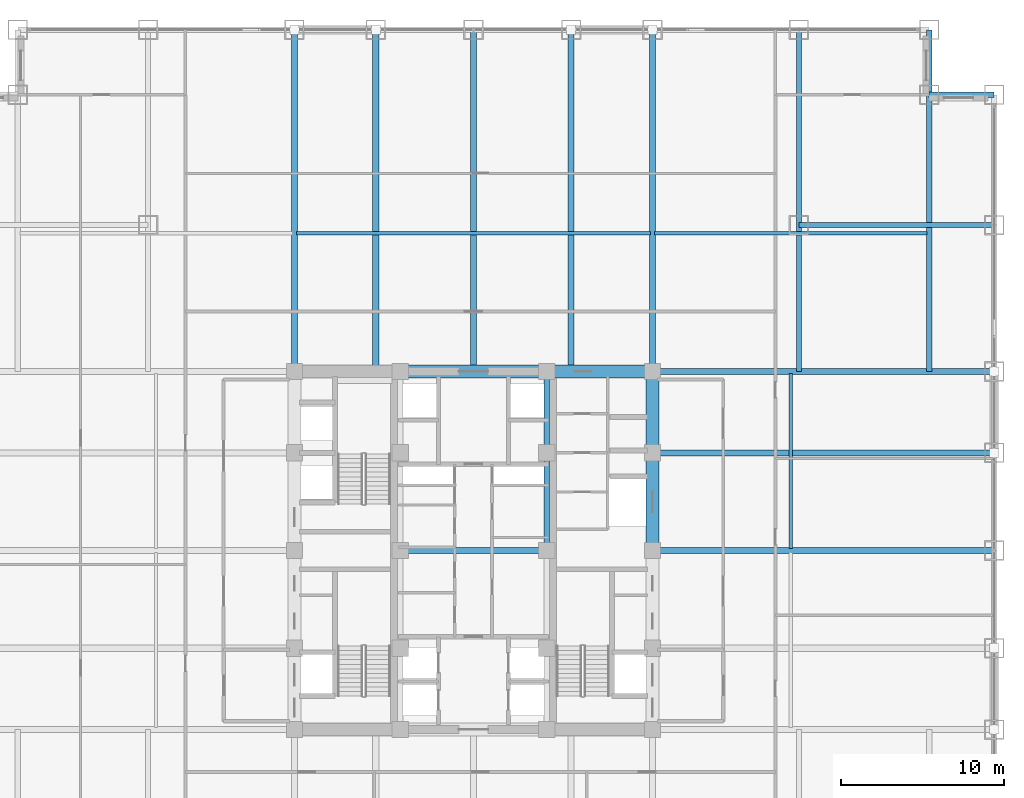
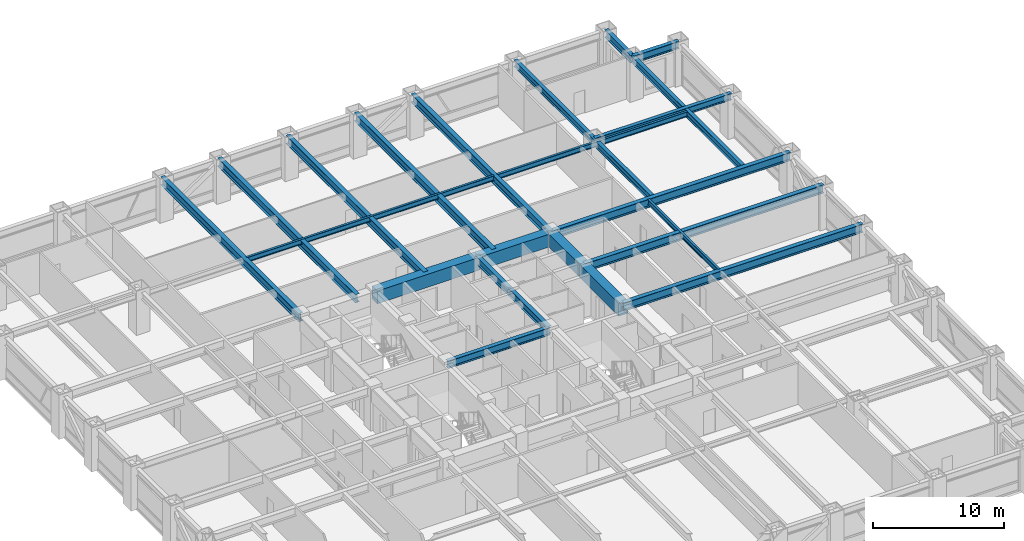
# One storey, part 11 of 27: 23 beams.
"""IFC4 building model written with IfcOpenShell, lengths in metres."""

import ifcopenshell
import ifcopenshell.guid

model = None  # the IFC model being written
_history = None  # IfcOwnerHistory: only IFC2X3 demands one
_inside = {}  # id of a spatial element -> (the spatial element, [elements in it])
_under = {}  # id of a project, library or spatial element -> (it, [spatial elements below it])
_declared = {}  # id of a project -> (the project, [libraries it declares])
_typed = {}  # id of a type object -> (the type object, [elements of that type])
_made_of = {}  # id of a material, layer set ... -> (it, [elements and type objects made of it])


def new_model(schema):
    """Start an empty IFC model of exactly this schema.

    Asked for "IFC4X3", IfcOpenShell would pick the latest addendum, in which some entities
    have other attributes; the version numbers below select the first issue.
    IFC2X3 requires an IfcOwnerHistory on every rooted entity: one is made here for all.
    """
    global model, _history
    if schema == "IFC4X3":
        model = ifcopenshell.file(schema_version=(4, 3, 0, 0))
    else:
        model = ifcopenshell.file(schema=schema)
    _inside.clear()
    _under.clear()
    _declared.clear()
    _typed.clear()
    _made_of.clear()
    _history = None
    if model.schema == "IFC2X3":
        org = make("IfcOrganization", Name="unknown")
        user = make(
            "IfcPersonAndOrganization",
            ThePerson=make("IfcPerson", FamilyName="unknown"),
            TheOrganization=org,
        )
        app = make(
            "IfcApplication",
            ApplicationDeveloper=org,
            Version="unknown",
            ApplicationFullName="unknown",
            ApplicationIdentifier="unknown",
        )
        _history = make(
            "IfcOwnerHistory",
            OwningUser=user,
            OwningApplication=app,
            ChangeAction="ADDED",
            CreationDate=0,
        )
    return model


def make(cls, **values):
    """One entity of the class cls with the attributes given. An attribute that is None is left unset."""
    return model.create_entity(
        cls, **{name: value for name, value in values.items() if value is not None}
    )


def rooted(cls, **values):
    """An entity with a GlobalId (a new one), such as an element, a storey or a relation."""
    return make(cls, GlobalId=ifcopenshell.guid.new(), OwnerHistory=_history, **values)


def si_unit(unit_type, name, prefix=None):
    """IfcSIUnit, for example si_unit("LENGTHUNIT", "METRE", prefix="MILLI")."""
    return make("IfcSIUnit", UnitType=unit_type, Prefix=prefix, Name=name)


def assignment(units):
    """IfcUnitAssignment: the units of a project."""
    return None if units is None else make("IfcUnitAssignment", Units=units)


def point(xyz):
    """IfcCartesianPoint."""
    return None if xyz is None else make("IfcCartesianPoint", Coordinates=xyz)


def direction(xyz):
    """IfcDirection."""
    return None if xyz is None else make("IfcDirection", DirectionRatios=xyz)


def frame(location, z_axis=None, x_axis=None):
    """IfcAxis2Placement3D, a coordinate frame: its origin and axes. An axis left out is left unset."""
    return make(
        "IfcAxis2Placement3D",
        Location=point(location),
        Axis=direction(z_axis),
        RefDirection=direction(x_axis),
    )


def frame_2d(location, x_axis=None):
    """IfcAxis2Placement2D, a coordinate frame in the plane: its origin and x axis."""
    return make(
        "IfcAxis2Placement2D", Location=point(location), RefDirection=direction(x_axis)
    )


def origin():
    """The frame at (0, 0, 0) with its axes left unset."""
    return frame((0.0, 0.0, 0.0))


def origin_2d():
    """The frame at (0, 0) in the plane with its x axis left unset."""
    return frame_2d((0.0, 0.0))


def place(relative_to, where):
    """IfcLocalPlacement: puts the frame where relative to a parent placement (None: the world)."""
    return make(
        "IfcLocalPlacement", PlacementRelTo=relative_to, RelativePlacement=where
    )


def context(
    kind, dimensions, precision=None, world=None, true_north=None, identifier=None
):
    """IfcGeometricRepresentationContext, for example the 3D "Model" context."""
    return make(
        "IfcGeometricRepresentationContext",
        ContextIdentifier=identifier,
        ContextType=kind,
        CoordinateSpaceDimension=dimensions,
        Precision=precision,
        WorldCoordinateSystem=world,
        TrueNorth=true_north,
    )


def subcontext(parent, identifier, kind, view, scale=None):
    """IfcGeometricRepresentationSubContext, for example "Body" below "Model"."""
    return make(
        "IfcGeometricRepresentationSubContext",
        ContextIdentifier=identifier,
        ContextType=kind,
        ParentContext=parent,
        TargetScale=scale,
        TargetView=view,
    )


def project(units=None, contexts=None):
    """IfcProject with its units and contexts."""
    return rooted(
        "IfcProject",
        Name="project",
        RepresentationContexts=contexts,
        UnitsInContext=assignment(units),
    )


def spatial(cls, under=None, at=None, **own):
    """A site, building, storey or space (cls), placed at a placement, below another one or the project."""
    s = rooted(cls, ObjectPlacement=at, **own)
    if under is not None:
        _under.setdefault(under.id(), (under, []))[1].append(s)
    return s


def profile(cls, at=None, kind="AREA", **sizes):
    """A parametric profile (cls). Its sizes go by their IFC names, for example OverallWidth=200.0."""
    return make(cls, ProfileType=kind, Position=at, **sizes)


def rectangle(**sizes):
    """IfcRectangleProfileDef."""
    return profile("IfcRectangleProfileDef", **sizes)


def i_section(**sizes):
    """IfcIShapeProfileDef."""
    return profile("IfcIShapeProfileDef", **sizes)


def extrude(swept, where, along, depth):
    """IfcExtrudedAreaSolid: the profile swept, set in the frame where, extruded along a direction by depth."""
    return make(
        "IfcExtrudedAreaSolid",
        SweptArea=swept,
        Position=where,
        ExtrudedDirection=direction(along),
        Depth=depth,
    )


def shape(context_of_items, identifier, shape_type, items):
    """IfcShapeRepresentation: the items that make up one representation, for example the "Body"."""
    return make(
        "IfcShapeRepresentation",
        ContextOfItems=context_of_items,
        RepresentationIdentifier=identifier,
        RepresentationType=shape_type,
        Items=items,
    )


def source(mapping_origin, context_of_items, identifier, shape_type, items):
    """IfcRepresentationMap: a shape defined once, which mapped items show again and again."""
    return make(
        "IfcRepresentationMap",
        MappingOrigin=mapping_origin,
        MappedRepresentation=shape(context_of_items, identifier, shape_type, items),
    )


def transform(
    local_origin,
    x_axis=None,
    y_axis=None,
    z_axis=None,
    scale=None,
    scale2=None,
    scale3=None,
    uniform=True,
):
    """IfcCartesianTransformationOperator3D, or its non-uniform kind. x_axis, y_axis, z_axis: its Axis1, 2, 3."""
    if uniform:
        return make(
            "IfcCartesianTransformationOperator3D",
            Axis1=direction(x_axis),
            Axis2=direction(y_axis),
            LocalOrigin=point(local_origin),
            Scale=scale,
            Axis3=direction(z_axis),
        )
    return make(
        "IfcCartesianTransformationOperator3DnonUniform",
        Axis1=direction(x_axis),
        Axis2=direction(y_axis),
        LocalOrigin=point(local_origin),
        Scale=scale,
        Axis3=direction(z_axis),
        Scale2=scale2,
        Scale3=scale3,
    )


def mapped(mapping_source, mapping_target):
    """IfcMappedItem: shows the shape of a source again, moved by a transform."""
    return make(
        "IfcMappedItem", MappingSource=mapping_source, MappingTarget=mapping_target
    )


def material(Name=None, Category=None):
    """IfcMaterial."""
    return make("IfcMaterial", Name=Name, Category=Category)


def material_profile(
    of_material, cross_section, Name=None, Category=None, Priority=None
):
    """IfcMaterialProfile: a cross section and its material."""
    return make(
        "IfcMaterialProfile",
        Name=Name,
        Material=of_material,
        Profile=cross_section,
        Priority=Priority,
        Category=Category,
    )


def profile_set(profiles, Name=None, composite=None):
    """IfcMaterialProfileSet."""
    return make(
        "IfcMaterialProfileSet",
        Name=Name,
        MaterialProfiles=profiles,
        CompositeProfile=composite,
    )


def made_of(thing, what):
    """Note that an element or type object is made of a material, layer set ...; save() writes the relation."""
    if what is not None:
        _made_of.setdefault(what.id(), (what, []))[1].append(thing)
    return thing


def type_object(cls, material=None, **own):
    """A type object (cls), such as IfcWallType, which elements share."""
    return made_of(rooted(cls, **own), material)


def element(
    cls,
    number,
    at=None,
    inside=None,
    cuts=None,
    type_object=None,
    material=None,
    context=None,
    identifier="Body",
    shape_type=None,
    held_by="IfcProductDefinitionShape",
    body=None,
    shapes=None,
    **own,
):
    """One element of the class cls, such as IfcWall. Its Tag is "e" and its number.

    at: its placement. inside: the storey or other place that contains it. cuts: it is an
    opening in that element (IfcRelVoidsElement). A single representation is given by context,
    identifier, shape_type and body (its items); several are given by shapes. held_by: the class
    of the entity that holds the representations. save() writes the other relations.
    """
    e = rooted(cls, Tag="e%d" % number, ObjectPlacement=at, **own)
    if body is not None:
        shapes = [shape(context, identifier, shape_type, body)]
    if shapes is not None:
        e.Representation = make(held_by, Representations=shapes)
    if inside is not None:
        _inside.setdefault(inside.id(), (inside, []))[1].append(e)
    if cuts is not None:
        rooted(
            "IfcRelVoidsElement", RelatingBuildingElement=cuts, RelatedOpeningElement=e
        )
    if type_object is not None:
        _typed.setdefault(type_object.id(), (type_object, []))[1].append(e)
    return made_of(e, material)


def aggregate(whole, parts):
    """IfcRelAggregates: a whole, such as a stair, and the parts it consists of."""
    return rooted("IfcRelAggregates", RelatingObject=whole, RelatedObjects=parts)


def save(model, path):
    """Write the relations noted so far, then the file.

    IfcRelAggregates (storeys below a building ...), IfcRelContainedInSpatialStructure (elements
    in a storey), IfcRelDefinesByType, IfcRelAssociatesMaterial and IfcRelDeclares: one each for
    every whole, place, type object, material and project.
    """
    for whole, parts in _under.values():
        aggregate(whole, parts)
    for where, things in _inside.values():
        rooted(
            "IfcRelContainedInSpatialStructure",
            RelatedElements=things,
            RelatingStructure=where,
        )
    for kind, things in _typed.values():
        rooted("IfcRelDefinesByType", RelatedObjects=things, RelatingType=kind)
    for what, things in _made_of.values():
        rooted("IfcRelAssociatesMaterial", RelatedObjects=things, RelatingMaterial=what)
    for by, libraries in _declared.values():
        rooted("IfcRelDeclares", RelatingContext=by, RelatedDefinitions=libraries)
    model.write(path)


model = new_model("IFC4")

# Units and contexts
model_context = context("Model", 3, precision=1e-05, world=origin(), true_north=direction((0.0, 1.0)))
body_context = subcontext(model_context, "Body", "Model", "MODEL_VIEW")
ifc_project = project(units=[si_unit("LENGTHUNIT", "METRE"), si_unit("AREAUNIT", "SQUARE_METRE"), si_unit("VOLUMEUNIT", "CUBIC_METRE"), si_unit("PLANEANGLEUNIT", "RADIAN"), si_unit("MASSUNIT", "GRAM", prefix="KILO")], contexts=[model_context])

# Site, building, storey
site_placement = place(None, origin())
site = spatial("IfcSite", under=ifc_project, at=site_placement, CompositionType="ELEMENT")
building_placement = place(site_placement, origin())
building = spatial("IfcBuilding", under=site, at=building_placement, Name="Khorayat Bourse Tower", CompositionType="ELEMENT")
storey_placement = place(building_placement, frame((0.0, 0.0, 111.89990234375)))
storey = spatial("IfcBuildingStorey", under=building, at=storey_placement, Name="L25", CompositionType="ELEMENT", Elevation=111.89990234375)

# Beams
ifc_material_1 = material(Name="Concrete C72/90", Category="concrete")
ifc_material_profile_1 = material_profile(ifc_material_1, rectangle(XDim=0.800048828125, YDim=1.199951171875, at=origin_2d()), Name="RC 800x1200")
ifc_profile_set_1 = profile_set([ifc_material_profile_1], Name="Concrete C72/90")
beam_type_1 = type_object("IfcBeamType", Name="BM-COUP-1200", PredefinedType="BEAM", material=ifc_profile_set_1)
shared_shape_1 = source(origin(), body_context, "Body", "SweptSolid", [
    extrude(rectangle(XDim=0.800048828125, YDim=1.199951171875, at=origin_2d()), origin(), (0.0, 0.0, 1.0), 5.0),
])
beam_1_placement = place(storey_placement, frame((11.0, 6.0, 3.239990234375), z_axis=(0.0, 1.0, 0.0), x_axis=(-1.0, 0.0, 0.0)))
element("IfcBeam", 1, at=beam_1_placement, inside=storey, type_object=beam_type_1, Name="L25 BM-COUP-1200 BM-L25-CRX-16", PredefinedType="BEAM", context=body_context, shape_type="MappedRepresentation", body=[
    mapped(shared_shape_1, transform((0.0, 0.0, 0.0), scale=1.0)),
])
shared_shape_2 = source(origin(), body_context, "Body", "SweptSolid", [
    extrude(rectangle(XDim=0.800048828125, YDim=1.199951171875, at=origin_2d()), origin(), (0.0, 0.0, 1.0), 6.0),
])
beam_2_placement = place(storey_placement, frame((11.0, 0.0, 3.239990234375), z_axis=(0.0, 1.0, 0.0), x_axis=(-1.0, 0.0, 0.0)))
element("IfcBeam", 2, at=beam_2_placement, inside=storey, type_object=beam_type_1, Name="L25 BM-COUP-1200 BM-L25-CRX-15", PredefinedType="BEAM", context=body_context, shape_type="MappedRepresentation", body=[
    mapped(shared_shape_2, transform((0.0, 0.0, 0.0), scale=1.0)),
])
ifc_material_2 = material(Name="Steel ASTM A992 Grade 50", Category="steel")
ifc_material_profile_2 = material_profile(ifc_material_2, i_section(OverallWidth=0.35498046875, OverallDepth=0.695068359375, WebThickness=0.015380859375, FlangeThickness=0.02490234375, FilletRadius=0.01806640625, at=origin_2d()), Name="W690X217")
ifc_profile_set_2 = profile_set([ifc_material_profile_2], Name="Steel ASTM A992 Grade 50")
beam_type_2 = type_object("IfcBeamType", Name="BM-GIRD-690", PredefinedType="BEAM", material=ifc_profile_set_2)
shared_shape_3 = source(origin(), body_context, "Body", "SweptSolid", [
    extrude(i_section(OverallWidth=0.35498046875, OverallDepth=0.695068359375, WebThickness=0.015380859375, FlangeThickness=0.02490234375, FilletRadius=0.01806640625, at=origin_2d()), origin(), (0.0, 0.0, 1.0), 5.0),
])
beam_3_placement = place(storey_placement, frame((4.5, 6.0, 3.49267578125), z_axis=(0.0, 1.0, 0.0), x_axis=(-1.0, 0.0, 0.0)))
element("IfcBeam", 3, at=beam_3_placement, inside=storey, type_object=beam_type_2, Name="L25 BM-GIRD-690 BM-L25-CRX-12", PredefinedType="BEAM", context=body_context, shape_type="MappedRepresentation", body=[
    mapped(shared_shape_3, transform((0.0, 0.0, 0.0), scale=1.0)),
])
shared_shape_4 = source(origin(), body_context, "Body", "SweptSolid", [
    extrude(i_section(OverallWidth=0.35498046875, OverallDepth=0.695068359375, WebThickness=0.015380859375, FlangeThickness=0.02490234375, FilletRadius=0.01806640625, at=origin_2d()), origin(), (0.0, 0.0, 1.0), 6.0),
])
beam_4_placement = place(storey_placement, frame((4.5, 0.0, 3.49267578125), z_axis=(0.0, 1.0, 0.0), x_axis=(-1.0, 0.0, 0.0)))
element("IfcBeam", 4, at=beam_4_placement, inside=storey, type_object=beam_type_2, Name="L25 BM-GIRD-690 BM-L25-CRX-11", PredefinedType="BEAM", context=body_context, shape_type="MappedRepresentation", body=[
    mapped(shared_shape_4, transform((0.0, 0.0, 0.0), scale=1.0)),
])
shared_shape_5 = source(origin(), body_context, "Body", "SweptSolid", [
    extrude(rectangle(XDim=0.800048828125, YDim=1.199951171875, at=origin_2d()), origin(), (0.0, 0.0, 1.0), 6.5),
])
beam_5_placement = place(storey_placement, frame((4.5, 11.0, 3.239990234375), z_axis=(1.0, 0.0, 0.0), x_axis=(0.0, 1.0, 0.0)))
element("IfcBeam", 5, at=beam_5_placement, inside=storey, type_object=beam_type_1, Name="L25 BM-COUP-1200 BM-L25-CRY-22", PredefinedType="BEAM", context=body_context, shape_type="MappedRepresentation", body=[
    mapped(shared_shape_5, transform((0.0, 0.0, 0.0), scale=1.0)),
])
shared_shape_6 = source(origin(), body_context, "Body", "SweptSolid", [
    extrude(rectangle(XDim=0.800048828125, YDim=1.199951171875, at=origin_2d()), origin(), (0.0, 0.0, 1.0), 9.0),
])
beam_6_placement = place(storey_placement, frame((-4.5, 11.0, 3.239990234375), z_axis=(1.0, 0.0, 0.0), x_axis=(0.0, 1.0, 0.0)))
element("IfcBeam", 6, at=beam_6_placement, inside=storey, type_object=beam_type_1, Name="L25 BM-COUP-1200 BM-L25-CRY-21", PredefinedType="BEAM", context=body_context, shape_type="MappedRepresentation", body=[
    mapped(shared_shape_6, transform((0.0, 0.0, 0.0), scale=1.0)),
])
shared_shape_7 = source(origin(), body_context, "Body", "SweptSolid", [
    extrude(i_section(OverallWidth=0.35498046875, OverallDepth=0.695068359375, WebThickness=0.015380859375, FlangeThickness=0.02490234375, FilletRadius=0.01806640625, at=origin_2d()), origin(), (0.0, 0.0, 1.0), 9.0),
])
beam_7_placement = place(storey_placement, frame((-4.5, 0.0, 3.49267578125), z_axis=(1.0, 0.0, 0.0), x_axis=(0.0, 1.0, 0.0)))
element("IfcBeam", 7, at=beam_7_placement, inside=storey, type_object=beam_type_2, Name="L25 BM-GIRD-690 BM-L25-CRY-23", PredefinedType="BEAM", context=body_context, shape_type="MappedRepresentation", body=[
    mapped(shared_shape_7, transform((0.0, 0.0, 0.0), scale=1.0)),
])
ifc_material_profile_3 = material_profile(ifc_material_2, i_section(OverallWidth=0.324951171875, OverallDepth=0.615966796875, WebThickness=0.013916015625, FlangeThickness=0.021484375, FilletRadius=0.01611328125, at=origin_2d()), Name="W610X174")
ifc_profile_set_3 = profile_set([ifc_material_profile_3], Name="Steel ASTM A992 Grade 50")
beam_type_3 = type_object("IfcBeamType", Name="BM-GIRD-610", PredefinedType="BEAM", material=ifc_profile_set_3)
shared_shape_8 = source(origin(), body_context, "Body", "SweptSolid", [
    extrude(i_section(OverallWidth=0.324951171875, OverallDepth=0.615966796875, WebThickness=0.013916015625, FlangeThickness=0.021484375, FilletRadius=0.01611328125, at=origin_2d()), origin(), (0.0, 0.0, 1.0), 21.0),
])
beam_8_placement = place(storey_placement, frame((20.0, 11.0, 3.531982421875), z_axis=(0.0, 1.0, 0.0), x_axis=(-1.0, 0.0, 0.0)))
element("IfcBeam", 8, at=beam_8_placement, inside=storey, type_object=beam_type_3, Name="L25 BM-GIRD-610 BM-L25-CNRY-087", PredefinedType="BEAM", context=body_context, shape_type="MappedRepresentation", body=[
    mapped(shared_shape_8, transform((0.0, 0.0, 0.0), scale=1.0)),
])
shared_shape_9 = source(origin(), body_context, "Body", "SweptSolid", [
    extrude(i_section(OverallWidth=0.324951171875, OverallDepth=0.615966796875, WebThickness=0.013916015625, FlangeThickness=0.021484375, FilletRadius=0.01611328125, at=origin_2d()), origin(), (0.0, 0.0, 1.0), 12.0),
])
beam_9_placement = place(storey_placement, frame((20.0, 20.0, 3.531982421875), z_axis=(1.0, 0.0, 0.0), x_axis=(0.0, 1.0, 0.0)))
element("IfcBeam", 9, at=beam_9_placement, inside=storey, type_object=beam_type_3, Name="L25 BM-GIRD-610 BM-L25-CNRX-094", PredefinedType="BEAM", context=body_context, shape_type="MappedRepresentation", body=[
    mapped(shared_shape_9, transform((0.0, 0.0, 0.0), scale=1.0)),
])
ifc_material_profile_4 = material_profile(ifc_material_2, i_section(OverallWidth=0.194091796875, OverallDepth=0.468994140625, WebThickness=0.0126953125, FlangeThickness=0.0205078125, FilletRadius=0.012939453125, at=origin_2d()), Name="W460X106")
ifc_profile_set_4 = profile_set([ifc_material_profile_4], Name="Steel ASTM A992 Grade 50")
beam_type_4 = type_object("IfcBeamType", Name="BM-JOIST-460", PredefinedType="JOIST", material=ifc_profile_set_4)
shared_shape_10 = source(origin(), body_context, "Body", "SweptSolid", [
    extrude(i_section(OverallWidth=0.194091796875, OverallDepth=0.468994140625, WebThickness=0.0126953125, FlangeThickness=0.0205078125, FilletRadius=0.012939453125, at=origin_2d()), origin(), (0.0, 0.0, 1.0), 21.740234375),
])
beam_10_placement = place(storey_placement, frame((-10.8701171875, 19.5, 3.605712890625), z_axis=(1.0, 0.0, 0.0), x_axis=(0.0, 1.0, 0.0)))
element("IfcBeam", 10, at=beam_10_placement, inside=storey, type_object=beam_type_4, Name="L25 BM-JOIST-460 BM-L25-JSTX-100", PredefinedType="JOIST", context=body_context, shape_type="MappedRepresentation", body=[
    mapped(shared_shape_10, transform((0.0, 0.0, 0.0), scale=1.0)),
])
shared_shape_11 = source(origin(), body_context, "Body", "SweptSolid", [
    extrude(i_section(OverallWidth=0.194091796875, OverallDepth=0.468994140625, WebThickness=0.0126953125, FlangeThickness=0.0205078125, FilletRadius=0.012939453125, at=origin_2d()), origin(), (0.0, 0.0, 1.0), 10.740234375),
])
beam_11_placement = place(storey_placement, frame((19.5, 0.1298828125, 3.605712890625), z_axis=(0.0, 1.0, 0.0), x_axis=(-1.0, 0.0, 0.0)))
element("IfcBeam", 11, at=beam_11_placement, inside=storey, type_object=beam_type_4, Name="L25 BM-JOIST-460 BM-L25-JSTY-105", PredefinedType="JOIST", context=body_context, shape_type="MappedRepresentation", body=[
    mapped(shared_shape_11, transform((0.0, 0.0, 0.0), scale=1.0)),
])
ifc_material_profile_5 = material_profile(ifc_material_2, i_section(OverallWidth=0.35498046875, OverallDepth=0.695068359375, WebThickness=0.015380859375, FlangeThickness=0.02490234375, FilletRadius=0.01806640625, at=origin_2d()), Name="W690X217")
ifc_profile_set_5 = profile_set([ifc_material_profile_5], Name="Steel ASTM A992 Grade 50")
beam_type_5 = type_object("IfcBeamType", Name="BM-SPAN-690", PredefinedType="SPANDREL", material=ifc_profile_set_5)
shared_shape_12 = source(origin(), body_context, "Body", "SweptSolid", [
    extrude(i_section(OverallWidth=0.35498046875, OverallDepth=0.695068359375, WebThickness=0.015380859375, FlangeThickness=0.02490234375, FilletRadius=0.01806640625, at=origin_2d()), origin(), (0.0, 0.0, 1.0), 4.0),
])
for number, where, z_axis, x_axis, name in (
    (12, (28.0, 28.0, 3.49267578125), (1.0, 0.0, 0.0), (0.0, 1.0, 0.0), "L25 BM-SPAN-690 BM-L25-SPN-042"),
    (13, (28.0, 28.0, 3.49267578125), (0.0, 1.0, 0.0), (-1.0, 0.0, 0.0), "L25 BM-SPAN-690 BM-L25-SPN-043"),
):
    element("IfcBeam", number, at=place(storey_placement, frame(where, z_axis=z_axis, x_axis=x_axis)), inside=storey, type_object=beam_type_5, Name=name, PredefinedType="SPANDREL", context=body_context, shape_type="MappedRepresentation", body=[
        mapped(shared_shape_12, transform((0.0, 0.0, 0.0), scale=1.0)),
    ])
ifc_material_profile_6 = material_profile(ifc_material_2, i_section(OverallWidth=0.381103515625, OverallDepth=0.77294921875, WebThickness=0.0166015625, FlangeThickness=0.027587890625, FilletRadius=0.01806640625, at=origin_2d()), Name="W760X257")
ifc_profile_set_6 = profile_set([ifc_material_profile_6], Name="Steel ASTM A992 Grade 50")
beam_type_6 = type_object("IfcBeamType", Name="BM-GIRD-760", PredefinedType="BEAM", material=ifc_profile_set_6)
shared_shape_13 = source(origin(), body_context, "Body", "SweptSolid", [
    extrude(i_section(OverallWidth=0.381103515625, OverallDepth=0.77294921875, WebThickness=0.0166015625, FlangeThickness=0.027587890625, FilletRadius=0.01806640625, at=origin_2d()), origin(), (0.0, 0.0, 1.0), 21.0),
])
for number, where, z_axis, x_axis, name in (
    (14, (-11.0, 11.0, 3.45361328125), (0.0, 1.0, 0.0), (-1.0, 0.0, 0.0), "L25 BM-GIRD-760 BM-L25-RADY-064"),
    (15, (-6.0, 11.0, 3.45361328125), (0.0, 1.0, 0.0), (-1.0, 0.0, 0.0), "L25 BM-GIRD-760 BM-L25-RADY-066"),
    (16, (0.0, 11.0, 3.45361328125), (0.0, 1.0, 0.0), (-1.0, 0.0, 0.0), "L25 BM-GIRD-760 BM-L25-RADY-068"),
    (17, (6.0, 11.0, 3.45361328125), (0.0, 1.0, 0.0), (-1.0, 0.0, 0.0), "L25 BM-GIRD-760 BM-L25-RADY-070"),
    (18, (11.0, 11.0, 3.45361328125), (0.0, 1.0, 0.0), (-1.0, 0.0, 0.0), "L25 BM-GIRD-760 BM-L25-RADY-072"),
    (19, (11.0, 0.0, 3.45361328125), (1.0, 0.0, 0.0), (0.0, 1.0, 0.0), "L25 BM-GIRD-760 BM-L25-RADX-078"),
    (20, (11.0, 6.0, 3.45361328125), (1.0, 0.0, 0.0), (0.0, 1.0, 0.0), "L25 BM-GIRD-760 BM-L25-RADX-080"),
    (21, (11.0, 11.0, 3.45361328125), (1.0, 0.0, 0.0), (0.0, 1.0, 0.0), "L25 BM-GIRD-760 BM-L25-RADX-082"),
):
    element("IfcBeam", number, at=place(storey_placement, frame(where, z_axis=z_axis, x_axis=x_axis)), inside=storey, type_object=beam_type_6, Name=name, PredefinedType="BEAM", context=body_context, shape_type="MappedRepresentation", body=[
        mapped(shared_shape_13, transform((0.0, 0.0, 0.0), scale=1.0)),
    ])
shared_shape_14 = source(origin(), body_context, "Body", "SweptSolid", [
    extrude(i_section(OverallWidth=0.324951171875, OverallDepth=0.615966796875, WebThickness=0.013916015625, FlangeThickness=0.021484375, FilletRadius=0.01611328125, at=origin_2d()), origin(), (0.0, 0.0, 1.0), 17.0),
])
beam_12_placement = place(storey_placement, frame((28.0, 11.0, 3.531982421875), z_axis=(0.0, 1.0, 0.0), x_axis=(-1.0, 0.0, 0.0)))
element("IfcBeam", 22, at=beam_12_placement, inside=storey, type_object=beam_type_3, Name="L25 BM-GIRD-610 BM-L25-CNRY-091", PredefinedType="BEAM", context=body_context, shape_type="MappedRepresentation", body=[
    mapped(shared_shape_14, transform((0.0, 0.0, 0.0), scale=1.0)),
])
shared_shape_15 = source(origin(), body_context, "Body", "SweptSolid", [
    extrude(i_section(OverallWidth=0.194091796875, OverallDepth=0.468994140625, WebThickness=0.0126953125, FlangeThickness=0.0205078125, FilletRadius=0.012939453125, at=origin_2d()), origin(), (0.0, 0.0, 1.0), 16.740234375),
])
beam_13_placement = place(storey_placement, frame((11.1298828125, 19.5, 3.605712890625), z_axis=(1.0, 0.0, 0.0), x_axis=(0.0, 1.0, 0.0)))
element("IfcBeam", 23, at=beam_13_placement, inside=storey, type_object=beam_type_4, Name="L25 BM-JOIST-460 BM-L25-JSTX-101", PredefinedType="JOIST", context=body_context, shape_type="MappedRepresentation", body=[
    mapped(shared_shape_15, transform((0.0, 0.0, 0.0), scale=1.0)),
])

save(model, "model.ifc")
